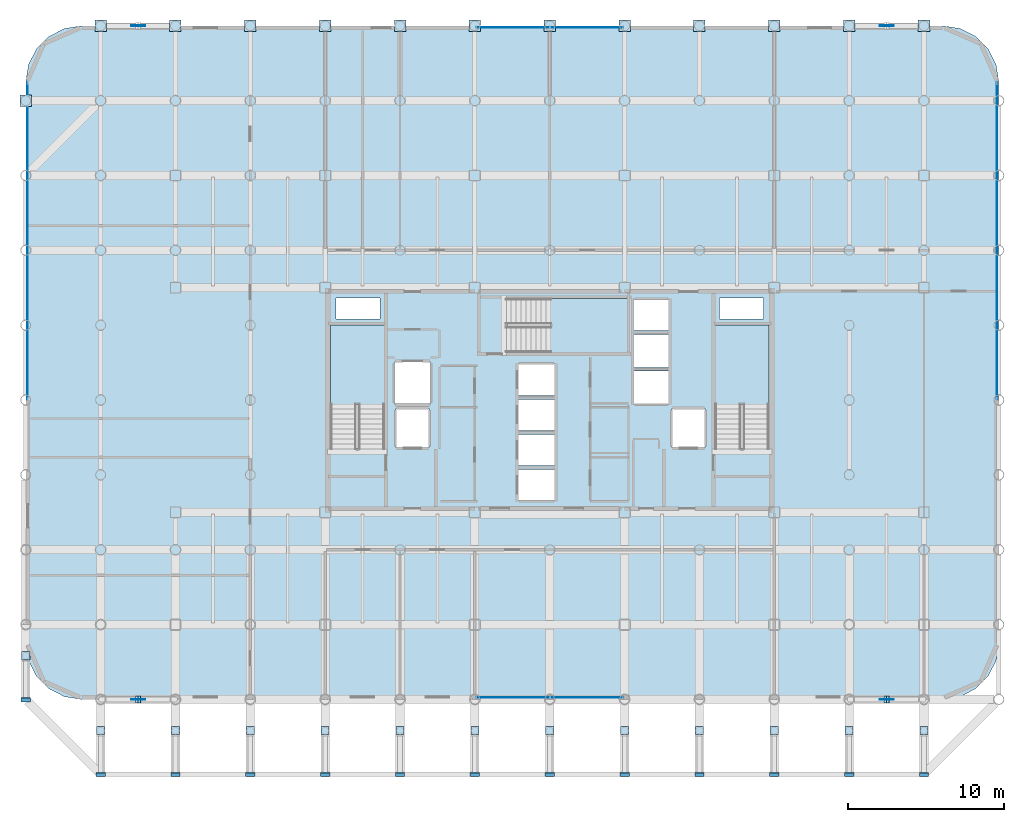
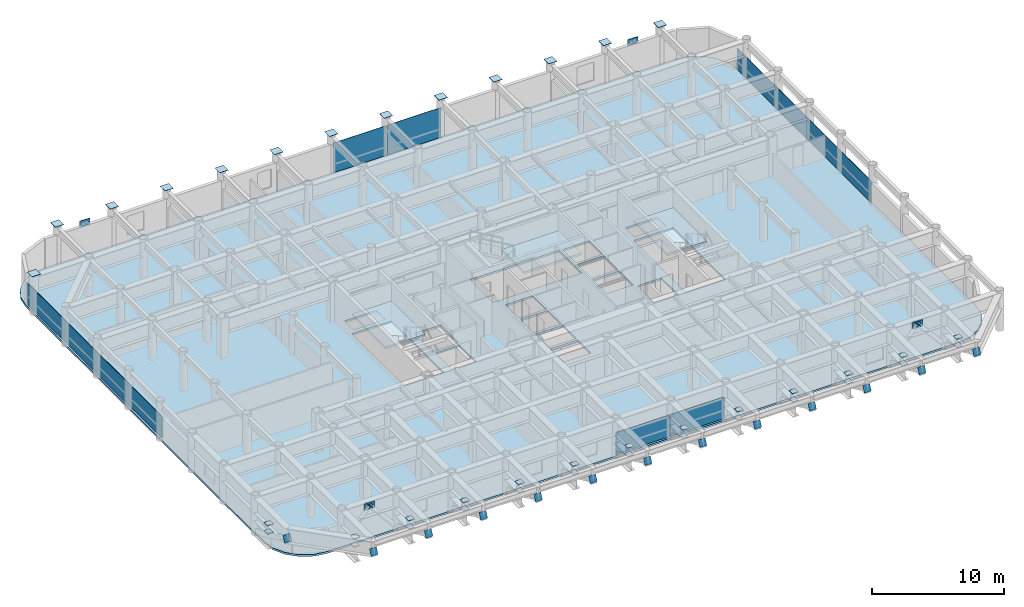
# One storey, part 19 of 24: 66 plates, 4 slabs, 7 elements without a shape of their own.
"""IFC4 building model written with IfcOpenShell, lengths in metres."""

from ifc_helpers import new_model, si_unit, direction, frame, origin, origin_2d, place, context, subcontext, project, spatial, polyline, rectangle, outline, extrude, material, layer, layer_set, type_object, element, aggregate, save


model = new_model("IFC4")

# Units and contexts
model_context = context("Model", 3, precision=1e-05, world=origin(), true_north=direction((0.0, 1.0)))
body_context = subcontext(model_context, "Body", "Model", "MODEL_VIEW")
ifc_project = project(units=[si_unit("LENGTHUNIT", "METRE"), si_unit("AREAUNIT", "SQUARE_METRE"), si_unit("VOLUMEUNIT", "CUBIC_METRE"), si_unit("PLANEANGLEUNIT", "RADIAN"), si_unit("MASSUNIT", "GRAM", prefix="KILO")], contexts=[model_context])

# Site, building, storey
site_placement = place(None, origin())
site = spatial("IfcSite", under=ifc_project, at=site_placement, CompositionType="ELEMENT")
building_placement = place(site_placement, origin())
building = spatial("IfcBuilding", under=site, at=building_placement, Name="Kallvorn Hotel Tower", CompositionType="ELEMENT")
storey_placement = place(building_placement, frame((0.0, 0.0, 150.699951171875)))
storey = spatial("IfcBuildingStorey", under=building, at=storey_placement, Name="L37", CompositionType="ELEMENT", Elevation=150.699951171875)

# Curtain wall, plates
ifc_material_1 = material(Name="Thermally broken black-anodised aluminium AA 6063-T6", Category="aluminium")
ifc_layer_1 = layer(ifc_material_1, 0.2099609375)
ifc_layer_set_1 = layer_set([ifc_layer_1], Name="CW_SYS_4_HOTEL_MID")
curtain_wall_type = type_object("IfcCurtainWallType", Name="CW_SYS_4_HOTEL_MID", PredefinedType="USERDEFINED", material=ifc_layer_set_1)
curtain_wall_1_placement = place(storey_placement, origin())
curtain_wall_1 = element("IfcCurtainWall", 1, at=curtain_wall_1_placement, inside=storey, type_object=curtain_wall_type, Name="L37 Dark-Glass Curtain Wall CW-L37-SC", ObjectType="UNITISED CURTAIN WALL", PredefinedType="USERDEFINED")
ifc_material_2 = material(Name="Double-glazed low-e solar-control dark glass", Category="glass")
ifc_layer_2 = layer(ifc_material_2, 0.037841796875)
ifc_layer_set_2 = layer_set([ifc_layer_2], Name="CW_SYS_4_HOTEL_MID_PANEL")
plate_type_1 = type_object("IfcPlateType", Name="CW_SYS_4_HOTEL_MID_PANEL", PredefinedType="CURTAIN_PANEL", material=ifc_layer_set_2)
plate_1_placement = place(storey_placement, frame((-2.375, -19.080078125, 0.06005859375), z_axis=(0.0, 0.0, 1.0), x_axis=(1.0, 0.0, 0.0)))
plate_1 = element("IfcPlate", 2, at=plate_1_placement, type_object=plate_type_1, Name="CW-L37-SC Vision Glass Panel 00", PredefinedType="CURTAIN_PANEL", context=body_context, shape_type="SweptSolid", body=[
    extrude(rectangle(XDim=4.68994140625, YDim=0.037841796875, at=origin_2d()), origin(), (0.0, 0.0, 1.0), 2.0),
])
plate_2_placement = place(storey_placement, frame((2.375, -19.080078125, 0.06005859375), z_axis=(0.0, 0.0, 1.0), x_axis=(1.0, 0.0, 0.0)))
plate_2 = element("IfcPlate", 3, at=plate_2_placement, type_object=plate_type_1, Name="CW-L37-SC Vision Glass Panel 01", PredefinedType="CURTAIN_PANEL", context=body_context, shape_type="SweptSolid", body=[
    extrude(rectangle(XDim=4.68994140625, YDim=0.037841796875, at=origin_2d()), origin(), (0.0, 0.0, 1.0), 2.0),
])
aggregate(curtain_wall_1, [plate_1, plate_2])

curtain_wall_2_placement = place(storey_placement, origin())
curtain_wall_2 = element("IfcCurtainWall", 4, at=curtain_wall_2_placement, inside=storey, type_object=curtain_wall_type, Name="L37 Dark-Glass Curtain Wall CW-L37-NC", ObjectType="UNITISED CURTAIN WALL", PredefinedType="USERDEFINED")
plate_3_placement = place(storey_placement, frame((-2.375, 23.8798828125, 0.06005859375), z_axis=(0.0, 0.0, 1.0), x_axis=(1.0, 0.0, 0.0)))
plate_3 = element("IfcPlate", 5, at=plate_3_placement, type_object=plate_type_1, Name="CW-L37-NC Vision Glass Panel 00", PredefinedType="CURTAIN_PANEL", context=body_context, shape_type="SweptSolid", body=[
    extrude(rectangle(XDim=4.68994140625, YDim=0.037841796875, at=origin_2d()), origin(), (0.0, 0.0, 1.0), 2.75),
])
plate_4_placement = place(storey_placement, frame((2.375, 23.8798828125, 0.06005859375), z_axis=(0.0, 0.0, 1.0), x_axis=(1.0, 0.0, 0.0)))
plate_4 = element("IfcPlate", 6, at=plate_4_placement, type_object=plate_type_1, Name="CW-L37-NC Vision Glass Panel 01", PredefinedType="CURTAIN_PANEL", context=body_context, shape_type="SweptSolid", body=[
    extrude(rectangle(XDim=4.68994140625, YDim=0.037841796875, at=origin_2d()), origin(), (0.0, 0.0, 1.0), 2.75),
])
aggregate(curtain_wall_2, [plate_3, plate_4])

# Curtain wall, plate
curtain_wall_3_placement = place(storey_placement, origin())
curtain_wall_3 = element("IfcCurtainWall", 7, at=curtain_wall_3_placement, inside=storey, type_object=curtain_wall_type, Name="L37 Dark-Glass Curtain Wall CW-L37-WN", ObjectType="UNITISED CURTAIN WALL", PredefinedType="USERDEFINED")
plate_5_placement = place(storey_placement, frame((-33.47998046875, 10.2099609375, 0.06005859375), z_axis=(0.0, 0.0, 1.0), x_axis=(0.0, 1.0, 0.0)))
plate_5 = element("IfcPlate", 8, at=plate_5_placement, type_object=plate_type_1, Name="CW-L37-WN Vision Glass Panel 00", PredefinedType="CURTAIN_PANEL", context=body_context, shape_type="SweptSolid", body=[
    extrude(rectangle(XDim=20.320068359375, YDim=0.037841796875, at=origin_2d()), origin(), (0.0, 0.0, 1.0), 2.0),
])
aggregate(curtain_wall_3, [plate_5])

curtain_wall_4_placement = place(storey_placement, origin())
curtain_wall_4 = element("IfcCurtainWall", 9, at=curtain_wall_4_placement, inside=storey, type_object=curtain_wall_type, Name="L37 Dark-Glass Curtain Wall CW-L37-EN", ObjectType="UNITISED CURTAIN WALL", PredefinedType="USERDEFINED")
plate_6_placement = place(storey_placement, frame((28.679931640625, 10.2099609375, 0.06005859375), z_axis=(0.0, 0.0, 1.0), x_axis=(0.0, 1.0, 0.0)))
plate_6 = element("IfcPlate", 10, at=plate_6_placement, type_object=plate_type_1, Name="CW-L37-EN Vision Glass Panel 00", PredefinedType="CURTAIN_PANEL", context=body_context, shape_type="SweptSolid", body=[
    extrude(rectangle(XDim=20.320068359375, YDim=0.037841796875, at=origin_2d()), origin(), (0.0, 0.0, 1.0), 2.0),
])
aggregate(curtain_wall_4, [plate_6])

# Plates
ifc_material_3 = material(Name="Structural steel S355JR", Category="steel")
ifc_layer_3 = layer(ifc_material_3, 0.030029296875)
ifc_layer_set_3 = layer_set([ifc_layer_3], Name="PLT_CAP_30")
plate_type_2 = type_object("IfcPlateType", Name="PLT_CAP_30", PredefinedType="SHEET", material=ifc_layer_set_3)
for number, where, z_axis, x_axis, name in (
    (11, (-33.60009765625, 19.199951171875, 3.7001953125), (0.0, 0.0, 1.0), (1.0, 0.0, 0.0), "L37 Hollow Column Top End Cap Plate 0199"),
    (12, (-28.800048828125, 24.0, 3.7001953125), (0.0, 0.0, 1.0), (1.0, 0.0, 0.0), "L37 Hollow Column Top End Cap Plate 0200"),
    (13, (-24.0, 24.0, 3.7001953125), (0.0, 0.0, 1.0), (1.0, 0.0, 0.0), "L37 Hollow Column Top End Cap Plate 0201"),
    (14, (-19.199951171875, 24.0, 3.7001953125), (0.0, 0.0, 1.0), (1.0, 0.0, 0.0), "L37 Hollow Column Top End Cap Plate 0202"),
    (15, (-14.39990234375, 24.0, 3.7001953125), (0.0, 0.0, 1.0), (1.0, 0.0, 0.0), "L37 Hollow Column Top End Cap Plate 0203"),
    (16, (-9.60009765625, 24.0, 3.7001953125), (0.0, 0.0, 1.0), (1.0, 0.0, 0.0), "L37 Hollow Column Top End Cap Plate 0204"),
    (17, (-4.800048828125, 24.0, 3.7001953125), (0.0, 0.0, 1.0), (1.0, 0.0, 0.0), "L37 Hollow Column Top End Cap Plate 0205"),
    (18, (0.0, 24.0, 3.7001953125), (0.0, 0.0, 1.0), (1.0, 0.0, 0.0), "L37 Hollow Column Top End Cap Plate 0206"),
    (19, (4.800048828125, 24.0, 3.7001953125), (0.0, 0.0, 1.0), (1.0, 0.0, 0.0), "L37 Hollow Column Top End Cap Plate 0207"),
    (20, (9.60009765625, 24.0, 3.7001953125), (0.0, 0.0, 1.0), (1.0, 0.0, 0.0), "L37 Hollow Column Top End Cap Plate 0208"),
    (21, (14.39990234375, 24.0, 3.7001953125), (0.0, 0.0, 1.0), (1.0, 0.0, 0.0), "L37 Hollow Column Top End Cap Plate 0209"),
    (22, (19.199951171875, 24.0, 3.7001953125), (0.0, 0.0, 1.0), (1.0, 0.0, 0.0), "L37 Hollow Column Top End Cap Plate 0210"),
    (23, (24.0, 24.0, 3.7001953125), (0.0, 0.0, 1.0), (1.0, 0.0, 0.0), "L37 Hollow Column Top End Cap Plate 0211"),
):
    element("IfcPlate", number, at=place(storey_placement, frame(where, z_axis=z_axis, x_axis=x_axis)), inside=storey, type_object=plate_type_2, Name=name, PredefinedType="SHEET", context=body_context, shape_type="SweptSolid", body=[
        extrude(rectangle(XDim=0.739990234375, YDim=0.739990234375, at=origin_2d()), origin(), (0.0, 0.0, 1.0), 0.030029296875),
    ])
for number, where, z_axis, x_axis, name in (
    (24, (-33.60009765625, -16.39990234375, 1.3701171875), (0.0, 0.0, 1.0), (1.0, 0.0, 0.0), "L37 Prop Column End Cap Plate 01B"),
    (25, (-33.60009765625, -16.39990234375, 2.14013671875), (0.0, 0.0, 1.0), (1.0, 0.0, 0.0), "L37 Prop Column End Cap Plate 01T"),
):
    element("IfcPlate", number, at=place(storey_placement, frame(where, z_axis=z_axis, x_axis=x_axis)), inside=storey, type_object=plate_type_2, Name=name, PredefinedType="SHEET", context=body_context, shape_type="SweptSolid", body=[
        extrude(rectangle(XDim=0.52001953125, YDim=0.52001953125, at=origin_2d()), origin(), (0.0, 0.0, 1.0), 0.030029296875),
    ])
plate_7_placement = place(storey_placement, frame((-33.89990234375, -19.353271484375, 2.21044921875), z_axis=(0.0, -0.907530107889, 0.419987027507), x_axis=(1.0, 0.0, 0.0)))
element("IfcPlate", 26, at=plate_7_placement, inside=storey, type_object=plate_type_2, Name="L37 Cantilever Strut Node Cap 01", PredefinedType="SHEET", context=body_context, shape_type="SweptSolid", body=[
    extrude(outline(polyline([(0.0, 0.0), (0.599853515625, 0.0), (0.599853515625, 0.5999069221144274), (0.0, 0.5999069221144274), (0.0, 0.0)])), origin(), (0.0, 0.0, -1.0), 0.030029296875),
])
for number, where, z_axis, x_axis, name in (
    (27, (-28.800048828125, -21.199951171875, 1.3701171875), (0.0, 0.0, 1.0), (1.0, 0.0, 0.0), "L37 Prop Column End Cap Plate 02B"),
    (28, (-28.800048828125, -21.199951171875, 2.14013671875), (0.0, 0.0, 1.0), (1.0, 0.0, 0.0), "L37 Prop Column End Cap Plate 02T"),
):
    element("IfcPlate", number, at=place(storey_placement, frame(where, z_axis=z_axis, x_axis=x_axis)), inside=storey, type_object=plate_type_2, Name=name, PredefinedType="SHEET", context=body_context, shape_type="SweptSolid", body=[
        extrude(rectangle(XDim=0.52001953125, YDim=0.52001953125, at=origin_2d()), origin(), (0.0, 0.0, 1.0), 0.030029296875),
    ])
plate_8_placement = place(storey_placement, frame((-29.10009765625, -24.1533203125, 2.21044921875), z_axis=(0.0, -0.907530107889, 0.419987027507), x_axis=(1.0, 0.0, 0.0)))
element("IfcPlate", 29, at=plate_8_placement, inside=storey, type_object=plate_type_2, Name="L37 Cantilever Strut Node Cap 02", PredefinedType="SHEET", context=body_context, shape_type="SweptSolid", body=[
    extrude(outline(polyline([(0.0, 0.0), (0.60009765625, 0.0), (0.60009765625, 0.5999069221144274), (0.0, 0.5999069221144274), (0.0, 0.0)])), origin(), (0.0, 0.0, -1.0), 0.030029296875),
])
for number, where, z_axis, x_axis, name in (
    (30, (-24.0, -21.199951171875, 1.3701171875), (0.0, 0.0, 1.0), (1.0, 0.0, 0.0), "L37 Prop Column End Cap Plate 03B"),
    (31, (-24.0, -21.199951171875, 2.14013671875), (0.0, 0.0, 1.0), (1.0, 0.0, 0.0), "L37 Prop Column End Cap Plate 03T"),
):
    element("IfcPlate", number, at=place(storey_placement, frame(where, z_axis=z_axis, x_axis=x_axis)), inside=storey, type_object=plate_type_2, Name=name, PredefinedType="SHEET", context=body_context, shape_type="SweptSolid", body=[
        extrude(rectangle(XDim=0.52001953125, YDim=0.52001953125, at=origin_2d()), origin(), (0.0, 0.0, 1.0), 0.030029296875),
    ])
plate_9_placement = place(storey_placement, frame((-24.300048828125, -24.1533203125, 2.21044921875), z_axis=(0.0, -0.907530107889, 0.419987027507), x_axis=(1.0, 0.0, 0.0)))
element("IfcPlate", 32, at=plate_9_placement, inside=storey, type_object=plate_type_2, Name="L37 Cantilever Strut Node Cap 03", PredefinedType="SHEET", context=body_context, shape_type="SweptSolid", body=[
    extrude(outline(polyline([(0.0, 0.0), (0.60009765625, 0.0), (0.60009765625, 0.5999069221144274), (0.0, 0.5999069221144274), (0.0, 0.0)])), origin(), (0.0, 0.0, -1.0), 0.030029296875),
])
for number, where, z_axis, x_axis, name in (
    (33, (-19.199951171875, -21.199951171875, 1.3701171875), (0.0, 0.0, 1.0), (1.0, 0.0, 0.0), "L37 Prop Column End Cap Plate 04B"),
    (34, (-19.199951171875, -21.199951171875, 2.14013671875), (0.0, 0.0, 1.0), (1.0, 0.0, 0.0), "L37 Prop Column End Cap Plate 04T"),
):
    element("IfcPlate", number, at=place(storey_placement, frame(where, z_axis=z_axis, x_axis=x_axis)), inside=storey, type_object=plate_type_2, Name=name, PredefinedType="SHEET", context=body_context, shape_type="SweptSolid", body=[
        extrude(rectangle(XDim=0.52001953125, YDim=0.52001953125, at=origin_2d()), origin(), (0.0, 0.0, 1.0), 0.030029296875),
    ])
plate_10_placement = place(storey_placement, frame((-19.5, -24.1533203125, 2.21044921875), z_axis=(0.0, -0.907530107889, 0.419987027507), x_axis=(1.0, 0.0, 0.0)))
element("IfcPlate", 35, at=plate_10_placement, inside=storey, type_object=plate_type_2, Name="L37 Cantilever Strut Node Cap 04", PredefinedType="SHEET", context=body_context, shape_type="SweptSolid", body=[
    extrude(outline(polyline([(0.0, 0.0), (0.60009765625, 0.0), (0.60009765625, 0.5999069221144274), (0.0, 0.5999069221144274), (0.0, 0.0)])), origin(), (0.0, 0.0, -1.0), 0.030029296875),
])
for number, where, z_axis, x_axis, name in (
    (36, (-14.39990234375, -21.199951171875, 1.3701171875), (0.0, 0.0, 1.0), (1.0, 0.0, 0.0), "L37 Prop Column End Cap Plate 05B"),
    (37, (-14.39990234375, -21.199951171875, 2.14013671875), (0.0, 0.0, 1.0), (1.0, 0.0, 0.0), "L37 Prop Column End Cap Plate 05T"),
):
    element("IfcPlate", number, at=place(storey_placement, frame(where, z_axis=z_axis, x_axis=x_axis)), inside=storey, type_object=plate_type_2, Name=name, PredefinedType="SHEET", context=body_context, shape_type="SweptSolid", body=[
        extrude(rectangle(XDim=0.52001953125, YDim=0.52001953125, at=origin_2d()), origin(), (0.0, 0.0, 1.0), 0.030029296875),
    ])
plate_11_placement = place(storey_placement, frame((-14.699951171875, -24.1533203125, 2.21044921875), z_axis=(0.0, -0.907530107889, 0.419987027507), x_axis=(1.0, 0.0, 0.0)))
element("IfcPlate", 38, at=plate_11_placement, inside=storey, type_object=plate_type_2, Name="L37 Cantilever Strut Node Cap 05", PredefinedType="SHEET", context=body_context, shape_type="SweptSolid", body=[
    extrude(outline(polyline([(0.0, 0.0), (0.599853515625, 0.0), (0.599853515625, 0.5999069221144274), (0.0, 0.5999069221144274), (0.0, 0.0)])), origin(), (0.0, 0.0, -1.0), 0.030029296875),
])
for number, where, z_axis, x_axis, name in (
    (39, (-9.60009765625, -21.199951171875, 1.3701171875), (0.0, 0.0, 1.0), (1.0, 0.0, 0.0), "L37 Prop Column End Cap Plate 06B"),
    (40, (-9.60009765625, -21.199951171875, 2.14013671875), (0.0, 0.0, 1.0), (1.0, 0.0, 0.0), "L37 Prop Column End Cap Plate 06T"),
):
    element("IfcPlate", number, at=place(storey_placement, frame(where, z_axis=z_axis, x_axis=x_axis)), inside=storey, type_object=plate_type_2, Name=name, PredefinedType="SHEET", context=body_context, shape_type="SweptSolid", body=[
        extrude(rectangle(XDim=0.52001953125, YDim=0.52001953125, at=origin_2d()), origin(), (0.0, 0.0, 1.0), 0.030029296875),
    ])
plate_12_placement = place(storey_placement, frame((-9.89990234375, -24.1533203125, 2.21044921875), z_axis=(0.0, -0.907530107889, 0.419987027507), x_axis=(1.0, 0.0, 0.0)))
element("IfcPlate", 41, at=plate_12_placement, inside=storey, type_object=plate_type_2, Name="L37 Cantilever Strut Node Cap 06", PredefinedType="SHEET", context=body_context, shape_type="SweptSolid", body=[
    extrude(outline(polyline([(0.0, 0.0), (0.599853515625, 0.0), (0.599853515625, 0.5999069221144274), (0.0, 0.5999069221144274), (0.0, 0.0)])), origin(), (0.0, 0.0, -1.0), 0.030029296875),
])
for number, where, z_axis, x_axis, name in (
    (42, (-4.800048828125, -21.199951171875, 1.3701171875), (0.0, 0.0, 1.0), (1.0, 0.0, 0.0), "L37 Prop Column End Cap Plate 07B"),
    (43, (-4.800048828125, -21.199951171875, 2.14013671875), (0.0, 0.0, 1.0), (1.0, 0.0, 0.0), "L37 Prop Column End Cap Plate 07T"),
):
    element("IfcPlate", number, at=place(storey_placement, frame(where, z_axis=z_axis, x_axis=x_axis)), inside=storey, type_object=plate_type_2, Name=name, PredefinedType="SHEET", context=body_context, shape_type="SweptSolid", body=[
        extrude(rectangle(XDim=0.52001953125, YDim=0.52001953125, at=origin_2d()), origin(), (0.0, 0.0, 1.0), 0.030029296875),
    ])
plate_13_placement = place(storey_placement, frame((-5.10009765625, -24.1533203125, 2.21044921875), z_axis=(0.0, -0.907530107889, 0.419987027507), x_axis=(1.0, 0.0, 0.0)))
element("IfcPlate", 44, at=plate_13_placement, inside=storey, type_object=plate_type_2, Name="L37 Cantilever Strut Node Cap 07", PredefinedType="SHEET", context=body_context, shape_type="SweptSolid", body=[
    extrude(outline(polyline([(0.0, 0.0), (0.60009765625, 0.0), (0.60009765625, 0.5999069221144274), (0.0, 0.5999069221144274), (0.0, 0.0)])), origin(), (0.0, 0.0, -1.0), 0.030029296875),
])
for number, where, z_axis, x_axis, name in (
    (45, (0.0, -21.199951171875, 1.3701171875), (0.0, 0.0, 1.0), (1.0, 0.0, 0.0), "L37 Prop Column End Cap Plate 08B"),
    (46, (0.0, -21.199951171875, 2.14013671875), (0.0, 0.0, 1.0), (1.0, 0.0, 0.0), "L37 Prop Column End Cap Plate 08T"),
):
    element("IfcPlate", number, at=place(storey_placement, frame(where, z_axis=z_axis, x_axis=x_axis)), inside=storey, type_object=plate_type_2, Name=name, PredefinedType="SHEET", context=body_context, shape_type="SweptSolid", body=[
        extrude(rectangle(XDim=0.52001953125, YDim=0.52001953125, at=origin_2d()), origin(), (0.0, 0.0, 1.0), 0.030029296875),
    ])
plate_14_placement = place(storey_placement, frame((-0.300048828125, -24.1533203125, 2.21044921875), z_axis=(0.0, -0.907530107889, 0.419987027507), x_axis=(1.0, 0.0, 0.0)))
element("IfcPlate", 47, at=plate_14_placement, inside=storey, type_object=plate_type_2, Name="L37 Cantilever Strut Node Cap 08", PredefinedType="SHEET", context=body_context, shape_type="SweptSolid", body=[
    extrude(outline(polyline([(0.0, 0.0), (0.60009765625, 0.0), (0.60009765625, 0.5999069221144274), (0.0, 0.5999069221144274), (0.0, 0.0)])), origin(), (0.0, 0.0, -1.0), 0.030029296875),
])
for number, where, z_axis, x_axis, name in (
    (48, (4.800048828125, -21.199951171875, 1.3701171875), (0.0, 0.0, 1.0), (1.0, 0.0, 0.0), "L37 Prop Column End Cap Plate 09B"),
    (49, (4.800048828125, -21.199951171875, 2.14013671875), (0.0, 0.0, 1.0), (1.0, 0.0, 0.0), "L37 Prop Column End Cap Plate 09T"),
):
    element("IfcPlate", number, at=place(storey_placement, frame(where, z_axis=z_axis, x_axis=x_axis)), inside=storey, type_object=plate_type_2, Name=name, PredefinedType="SHEET", context=body_context, shape_type="SweptSolid", body=[
        extrude(rectangle(XDim=0.52001953125, YDim=0.52001953125, at=origin_2d()), origin(), (0.0, 0.0, 1.0), 0.030029296875),
    ])
plate_15_placement = place(storey_placement, frame((4.5, -24.1533203125, 2.21044921875), z_axis=(0.0, -0.907530107889, 0.419987027507), x_axis=(1.0, 0.0, 0.0)))
element("IfcPlate", 50, at=plate_15_placement, inside=storey, type_object=plate_type_2, Name="L37 Cantilever Strut Node Cap 09", PredefinedType="SHEET", context=body_context, shape_type="SweptSolid", body=[
    extrude(outline(polyline([(0.0, 0.0), (0.60009765625, 0.0), (0.60009765625, 0.5999069221144274), (0.0, 0.5999069221144274), (0.0, 0.0)])), origin(), (0.0, 0.0, -1.0), 0.030029296875),
])
for number, where, z_axis, x_axis, name in (
    (51, (9.60009765625, -21.199951171875, 1.3701171875), (0.0, 0.0, 1.0), (1.0, 0.0, 0.0), "L37 Prop Column End Cap Plate 10B"),
    (52, (9.60009765625, -21.199951171875, 2.14013671875), (0.0, 0.0, 1.0), (1.0, 0.0, 0.0), "L37 Prop Column End Cap Plate 10T"),
):
    element("IfcPlate", number, at=place(storey_placement, frame(where, z_axis=z_axis, x_axis=x_axis)), inside=storey, type_object=plate_type_2, Name=name, PredefinedType="SHEET", context=body_context, shape_type="SweptSolid", body=[
        extrude(rectangle(XDim=0.52001953125, YDim=0.52001953125, at=origin_2d()), origin(), (0.0, 0.0, 1.0), 0.030029296875),
    ])
plate_16_placement = place(storey_placement, frame((9.300048828125, -24.1533203125, 2.21044921875), z_axis=(0.0, -0.907530107889, 0.419987027507), x_axis=(1.0, 0.0, 0.0)))
element("IfcPlate", 53, at=plate_16_placement, inside=storey, type_object=plate_type_2, Name="L37 Cantilever Strut Node Cap 10", PredefinedType="SHEET", context=body_context, shape_type="SweptSolid", body=[
    extrude(outline(polyline([(0.0, 0.0), (0.599853515625, 0.0), (0.599853515625, 0.5999069221144274), (0.0, 0.5999069221144274), (0.0, 0.0)])), origin(), (0.0, 0.0, -1.0), 0.030029296875),
])
for number, where, z_axis, x_axis, name in (
    (54, (14.39990234375, -21.199951171875, 1.3701171875), (0.0, 0.0, 1.0), (1.0, 0.0, 0.0), "L37 Prop Column End Cap Plate 11B"),
    (55, (14.39990234375, -21.199951171875, 2.14013671875), (0.0, 0.0, 1.0), (1.0, 0.0, 0.0), "L37 Prop Column End Cap Plate 11T"),
):
    element("IfcPlate", number, at=place(storey_placement, frame(where, z_axis=z_axis, x_axis=x_axis)), inside=storey, type_object=plate_type_2, Name=name, PredefinedType="SHEET", context=body_context, shape_type="SweptSolid", body=[
        extrude(rectangle(XDim=0.52001953125, YDim=0.52001953125, at=origin_2d()), origin(), (0.0, 0.0, 1.0), 0.030029296875),
    ])
plate_17_placement = place(storey_placement, frame((14.10009765625, -24.1533203125, 2.21044921875), z_axis=(0.0, -0.907530107889, 0.419987027507), x_axis=(1.0, 0.0, 0.0)))
element("IfcPlate", 56, at=plate_17_placement, inside=storey, type_object=plate_type_2, Name="L37 Cantilever Strut Node Cap 11", PredefinedType="SHEET", context=body_context, shape_type="SweptSolid", body=[
    extrude(outline(polyline([(0.0, 0.0), (0.599853515625, 0.0), (0.599853515625, 0.5999069221144274), (0.0, 0.5999069221144274), (0.0, 0.0)])), origin(), (0.0, 0.0, -1.0), 0.030029296875),
])
for number, where, z_axis, x_axis, name in (
    (57, (19.199951171875, -21.199951171875, 1.3701171875), (0.0, 0.0, 1.0), (1.0, 0.0, 0.0), "L37 Prop Column End Cap Plate 12B"),
    (58, (19.199951171875, -21.199951171875, 2.14013671875), (0.0, 0.0, 1.0), (1.0, 0.0, 0.0), "L37 Prop Column End Cap Plate 12T"),
):
    element("IfcPlate", number, at=place(storey_placement, frame(where, z_axis=z_axis, x_axis=x_axis)), inside=storey, type_object=plate_type_2, Name=name, PredefinedType="SHEET", context=body_context, shape_type="SweptSolid", body=[
        extrude(rectangle(XDim=0.52001953125, YDim=0.52001953125, at=origin_2d()), origin(), (0.0, 0.0, 1.0), 0.030029296875),
    ])
plate_18_placement = place(storey_placement, frame((18.89990234375, -24.1533203125, 2.21044921875), z_axis=(0.0, -0.907530107889, 0.419987027507), x_axis=(1.0, 0.0, 0.0)))
element("IfcPlate", 59, at=plate_18_placement, inside=storey, type_object=plate_type_2, Name="L37 Cantilever Strut Node Cap 12", PredefinedType="SHEET", context=body_context, shape_type="SweptSolid", body=[
    extrude(outline(polyline([(0.0, 0.0), (0.60009765625, 0.0), (0.60009765625, 0.5999069221144274), (0.0, 0.5999069221144274), (0.0, 0.0)])), origin(), (0.0, 0.0, -1.0), 0.030029296875),
])
for number, where, z_axis, x_axis, name in (
    (60, (24.0, -21.199951171875, 1.3701171875), (0.0, 0.0, 1.0), (1.0, 0.0, 0.0), "L37 Prop Column End Cap Plate 13B"),
    (61, (24.0, -21.199951171875, 2.14013671875), (0.0, 0.0, 1.0), (1.0, 0.0, 0.0), "L37 Prop Column End Cap Plate 13T"),
):
    element("IfcPlate", number, at=place(storey_placement, frame(where, z_axis=z_axis, x_axis=x_axis)), inside=storey, type_object=plate_type_2, Name=name, PredefinedType="SHEET", context=body_context, shape_type="SweptSolid", body=[
        extrude(rectangle(XDim=0.52001953125, YDim=0.52001953125, at=origin_2d()), origin(), (0.0, 0.0, 1.0), 0.030029296875),
    ])
plate_19_placement = place(storey_placement, frame((23.699951171875, -24.1533203125, 2.21044921875), z_axis=(0.0, -0.907530107889, 0.419987027507), x_axis=(1.0, 0.0, 0.0)))
element("IfcPlate", 62, at=plate_19_placement, inside=storey, type_object=plate_type_2, Name="L37 Cantilever Strut Node Cap 13", PredefinedType="SHEET", context=body_context, shape_type="SweptSolid", body=[
    extrude(outline(polyline([(0.0, 0.0), (0.60009765625, 0.0), (0.60009765625, 0.5999069221144274), (0.0, 0.5999069221144274), (0.0, 0.0)])), origin(), (0.0, 0.0, -1.0), 0.030029296875),
])
plate_20_placement = place(storey_placement, frame((-26.227294921875, -19.417724609375, 2.876708984375), z_axis=(0.646720691081, 0.0, 0.762726915565), x_axis=(0.0, 1.0, 0.0)))
element("IfcPlate", 63, at=plate_20_placement, inside=storey, type_object=plate_type_2, Name="EXO-L37-S1A End Cap Plate B", PredefinedType="SHEET", context=body_context, shape_type="SweptSolid", body=[
    extrude(outline(polyline([(0.0, 0.0), (0.435546875, 0.0), (0.435546875, 0.4356413597636253), (0.0, 0.4356413597636253), (0.0, 0.0)])), origin(), (0.0, 0.0, -1.0), 0.030029296875),
])
plate_21_placement = place(storey_placement, frame((-26.572509765625, -18.982177734375, 2.876708984375), z_axis=(-0.646997204148, 0.0, 0.762492372306), x_axis=(0.0, -1.0, 0.0)))
element("IfcPlate", 64, at=plate_21_placement, inside=storey, type_object=plate_type_2, Name="EXO-L37-S1B End Cap Plate B", PredefinedType="SHEET", context=body_context, shape_type="SweptSolid", body=[
    extrude(outline(polyline([(0.0, 0.0), (0.435546875, 0.0), (0.435546875, 0.43545517576240456), (0.0, 0.43545517576240456), (0.0, 0.0)])), origin(), (0.0, 0.0, -1.0), 0.030029296875),
])
plate_22_placement = place(storey_placement, frame((21.772705078125, -19.417724609375, 2.876708984375), z_axis=(0.646720691081, 0.0, 0.762726915565), x_axis=(0.0, 1.0, 0.0)))
element("IfcPlate", 65, at=plate_22_placement, inside=storey, type_object=plate_type_2, Name="EXO-L37-S2A End Cap Plate B", PredefinedType="SHEET", context=body_context, shape_type="SweptSolid", body=[
    extrude(outline(polyline([(0.0, 0.0), (0.435546875, 0.0), (0.435546875, 0.4356413597636253), (0.0, 0.4356413597636253), (0.0, 0.0)])), origin(), (0.0, 0.0, -1.0), 0.030029296875),
])
plate_23_placement = place(storey_placement, frame((21.427490234375, -18.982177734375, 2.876708984375), z_axis=(-0.646997204148, 0.0, 0.762492372306), x_axis=(0.0, -1.0, 0.0)))
element("IfcPlate", 66, at=plate_23_placement, inside=storey, type_object=plate_type_2, Name="EXO-L37-S2B End Cap Plate B", PredefinedType="SHEET", context=body_context, shape_type="SweptSolid", body=[
    extrude(outline(polyline([(0.0, 0.0), (0.435546875, 0.0), (0.435546875, 0.43545517576240456), (0.0, 0.43545517576240456), (0.0, 0.0)])), origin(), (0.0, 0.0, -1.0), 0.030029296875),
])
ifc_material_4 = material(Name="Structural steel S355JR", Category="steel")
ifc_layer_4 = layer(ifc_material_4, 0.044921875)
ifc_layer_set_4 = layer_set([ifc_layer_4], Name="PLT_GUSSET_45")
plate_type_3 = type_object("IfcPlateType", Name="PLT_GUSSET_45", PredefinedType="USERDEFINED", material=ifc_layer_set_4)
for number, where, z_axis, x_axis, name in (
    (67, (-26.39990234375, -19.199951171875, 2.68994140625), (0.0, 0.0, 1.0), (1.0, 0.0, 0.0), "L37 Exoskeleton Node Gusset S1"),
    (68, (21.60009765625, -19.199951171875, 2.68994140625), (0.0, 0.0, 1.0), (1.0, 0.0, 0.0), "L37 Exoskeleton Node Gusset S2"),
    (69, (-26.39990234375, 24.0, 2.68994140625), (0.0, 0.0, 1.0), (1.0, 0.0, 0.0), "L37 Exoskeleton Node Gusset N1"),
    (70, (21.60009765625, 24.0, 2.68994140625), (0.0, 0.0, 1.0), (1.0, 0.0, 0.0), "L37 Exoskeleton Node Gusset N2"),
):
    element("IfcPlate", number, at=place(storey_placement, frame(where, z_axis=z_axis, x_axis=x_axis)), inside=storey, type_object=plate_type_3, Name=name, ObjectType="GUSSET PLATE", PredefinedType="USERDEFINED", context=body_context, shape_type="SweptSolid", body=[
        extrude(rectangle(XDim=0.89990234375, YDim=0.044921875, at=origin_2d()), origin(), (0.0, 0.0, 1.0), 0.56005859375),
    ])

# Stair, slab
ifc_material_5 = material(Name="Precast concrete C40/50", Category="concrete")
stair_type = type_object("IfcStairType", Name="STR_CORE_DOGLEG", PredefinedType="HALF_TURN_STAIR", material=ifc_material_5)
stair_1_placement = place(storey_placement, origin())
stair_1 = element("IfcStair", 71, at=stair_1_placement, inside=storey, type_object=stair_type, Name="L37 Exit stair ST1", PredefinedType="HALF_TURN_STAIR")
ifc_material_6 = material(Name="Precast concrete C40/50", Category="concrete")
ifc_layer_5 = layer(ifc_material_6, 0.179931640625)
ifc_layer_set_5 = layer_set([ifc_layer_5], Name="SLB_LANDING_180")
slab_type_1 = type_object("IfcSlabType", Name="SLB_LANDING_180", PredefinedType="LANDING", material=ifc_layer_set_5)
slab_1_placement = place(storey_placement, frame((0.0, 0.0, 1.650146484375)))
slab_1 = element("IfcSlab", 72, at=slab_1_placement, type_object=slab_type_1, Name="ST1 landing 1", PredefinedType="LANDING", context=body_context, shape_type="SweptSolid", body=[
    extrude(outline(polyline([(-10.60009765625, -0.31005859375), (-10.60009765625, 4.800048828125), (-14.06005859375, 4.800048828125), (-14.06005859375, -0.31005859375), (-10.60009765625, -0.31005859375)])), origin(), (0.0, 0.0, 1.0), 0.199951171875),
])
aggregate(stair_1, [slab_1])

stair_2_placement = place(storey_placement, origin())
stair_2 = element("IfcStair", 73, at=stair_2_placement, inside=storey, type_object=stair_type, Name="L37 Exit stair ST2", PredefinedType="HALF_TURN_STAIR")
slab_2_placement = place(storey_placement, frame((0.0, 0.0, 1.650146484375)))
slab_2 = element("IfcSlab", 74, at=slab_2_placement, type_object=slab_type_1, Name="ST2 landing 1", PredefinedType="LANDING", context=body_context, shape_type="SweptSolid", body=[
    extrude(outline(polyline([(14.06005859375, -0.31005859375), (14.06005859375, 4.800048828125), (10.60009765625, 4.800048828125), (10.60009765625, -0.31005859375), (14.06005859375, -0.31005859375)])), origin(), (0.0, 0.0, 1.0), 0.199951171875),
])
aggregate(stair_2, [slab_2])

stair_3_placement = place(storey_placement, origin())
stair_3 = element("IfcStair", 75, at=stair_3_placement, inside=storey, type_object=stair_type, Name="L37 Exit stair ST3", PredefinedType="HALF_TURN_STAIR")
slab_3_placement = place(storey_placement, frame((0.0, 0.0, 1.650146484375)))
slab_3 = element("IfcSlab", 76, at=slab_3_placement, type_object=slab_type_1, Name="ST3 landing 1", PredefinedType="LANDING", context=body_context, shape_type="SweptSolid", body=[
    extrude(outline(polyline([(0.0400390625, 3.050048828125), (5.050048828125, 3.050048828125), (5.050048828125, 6.510009765625), (0.0400390625, 6.510009765625), (0.0400390625, 3.050048828125)])), origin(), (0.0, 0.0, 1.0), 0.199951171875),
])
aggregate(stair_3, [slab_3])

# Slab
ifc_material_7 = material(Name="Concrete C40/50", Category="concrete")
ifc_layer_6 = layer(ifc_material_7, 0.179931640625)
ifc_layer_set_6 = layer_set([ifc_layer_6], Name="SLB_TOWER_180")
slab_type_2 = type_object("IfcSlabType", Name="SLB_TOWER_180", PredefinedType="FLOOR", material=ifc_layer_set_6)
slab_4_placement = place(storey_placement, frame((0.0, 0.0, -0.179931640625)))
element("IfcSlab", 77, at=slab_4_placement, inside=storey, type_object=slab_type_2, Name="L37 Structural Floor Slab", PredefinedType="FLOOR", context=body_context, shape_type="SweptSolid", body=[
    extrude(outline(polyline([(25.199951171875, -19.199951171875), (26.3125, -19.023681640625), (27.31591796875, -18.512451171875), (28.112548828125, -17.716064453125), (28.623779296875, -16.71240234375), (28.800048828125, -15.60009765625), (28.800048828125, 20.39990234375), (28.623779296875, 21.512451171875), (28.112548828125, 22.51611328125), (27.31591796875, 23.3125), (26.3125, 23.82373046875), (25.199951171875, 24.0), (-30.0, 24.0), (-31.112548828125, 23.82373046875), (-32.115966796875, 23.3125), (-32.91259765625, 22.51611328125), (-33.423828125, 21.512451171875), (-33.60009765625, 20.39990234375), (-33.60009765625, -15.60009765625), (-33.423828125, -16.71240234375), (-32.91259765625, -17.716064453125), (-32.115966796875, -18.512451171875), (-31.112548828125, -19.023681640625), (-30.0, -19.199951171875), (25.199951171875, -19.199951171875)]), holes=[polyline([(-10.60009765625, -3.070068359375), (-10.60009765625, 4.800048828125), (-14.06005859375, 4.800048828125), (-14.06005859375, -3.070068359375), (-10.60009765625, -3.070068359375)]), polyline([(14.06005859375, -3.070068359375), (14.06005859375, 4.800048828125), (10.60009765625, 4.800048828125), (10.60009765625, -3.070068359375), (14.06005859375, -3.070068359375)]), polyline([(-2.719970703125, 3.050048828125), (5.050048828125, 3.050048828125), (5.050048828125, 6.510009765625), (-2.719970703125, 6.510009765625), (-2.719970703125, 3.050048828125)]), polyline([(-2.050048828125, -6.449951171875), (0.35009765625, -6.449951171875), (0.35009765625, -4.449951171875), (-2.050048828125, -4.449951171875), (-2.050048828125, -6.449951171875)]), polyline([(-2.050048828125, -4.199951171875), (0.35009765625, -4.199951171875), (0.35009765625, -2.199951171875), (-2.050048828125, -2.199951171875), (-2.050048828125, -4.199951171875)]), polyline([(-2.050048828125, -1.949951171875), (0.35009765625, -1.949951171875), (0.35009765625, 0.050048828125), (-2.050048828125, 0.050048828125), (-2.050048828125, -1.949951171875)]), polyline([(-2.050048828125, 0.300048828125), (0.35009765625, 0.300048828125), (0.35009765625, 2.300048828125), (-2.050048828125, 2.300048828125), (-2.050048828125, 0.300048828125)]), polyline([(5.35009765625, -0.25), (7.64990234375, -0.25), (7.64990234375, 1.85009765625), (5.35009765625, 1.85009765625), (5.35009765625, -0.25)]), polyline([(5.35009765625, 2.10009765625), (7.64990234375, 2.10009765625), (7.64990234375, 4.199951171875), (5.35009765625, 4.199951171875), (5.35009765625, 2.10009765625)]), polyline([(5.35009765625, 4.449951171875), (7.64990234375, 4.449951171875), (7.64990234375, 6.449951171875), (5.35009765625, 6.449951171875), (5.35009765625, 4.449951171875)]), polyline([(-9.85009765625, -3.050048828125), (-7.75, -3.050048828125), (-7.75, -0.550048828125), (-9.85009765625, -0.550048828125), (-9.85009765625, -3.050048828125)]), polyline([(7.85009765625, -3.050048828125), (9.949951171875, -3.050048828125), (9.949951171875, -0.550048828125), (7.85009765625, -0.550048828125), (7.85009765625, -3.050048828125)]), polyline([(-9.949951171875, -0.25), (-7.64990234375, -0.25), (-7.64990234375, 2.449951171875), (-9.949951171875, 2.449951171875), (-9.949951171875, -0.25)]), polyline([(-13.699951171875, 5.199951171875), (-10.89990234375, 5.199951171875), (-10.89990234375, 6.550048828125), (-13.699951171875, 6.550048828125), (-13.699951171875, 5.199951171875)]), polyline([(10.89990234375, 5.199951171875), (13.699951171875, 5.199951171875), (13.699951171875, 6.550048828125), (10.89990234375, 6.550048828125), (10.89990234375, 5.199951171875)])]), origin(), (0.0, 0.0, 1.0), 0.179931640625),
])

save(model, "model.ifc")
